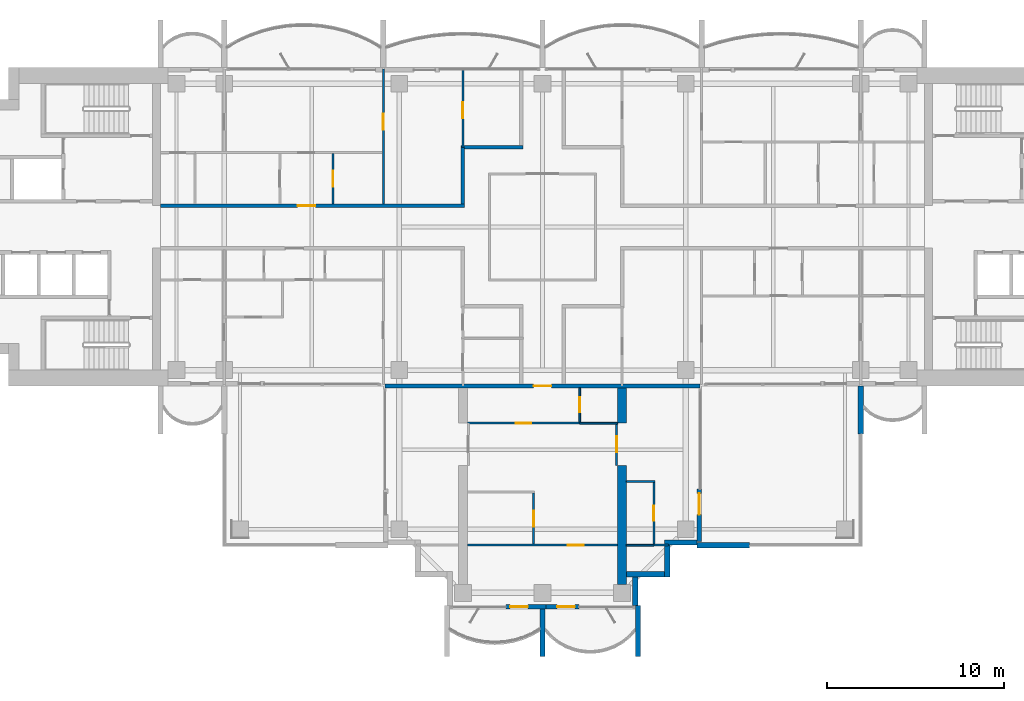
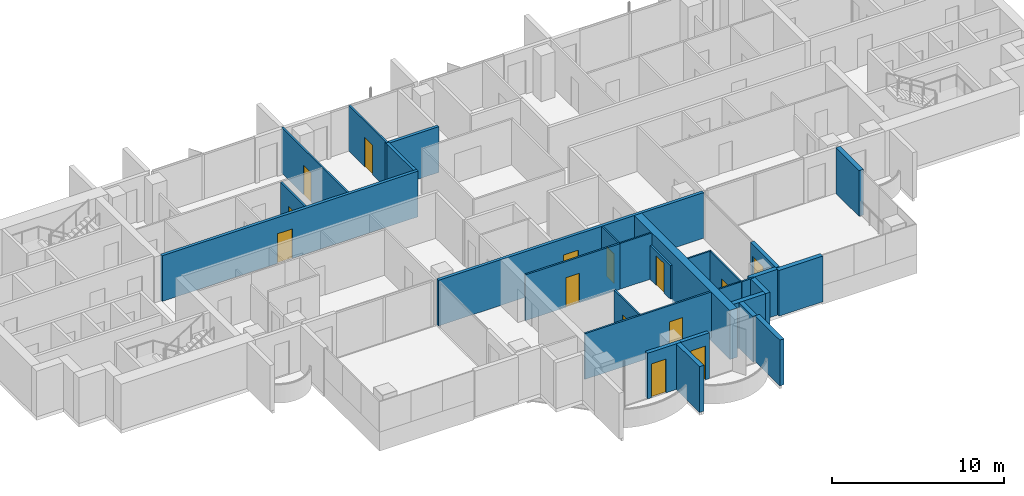
# One storey, part 10 of 17: 29 walls, 14 doors, 14 openings.
"""IFC4 building model written with IfcOpenShell, lengths in metres."""

from ifc_helpers import new_model, si_unit, direction, frame, frame_2d, origin, place, context, subcontext, project, spatial, polyline, rectangle, outline, extrude, material, layer, layer_set, material_profile, profile_set, type_object, element, fill, save


model = new_model("IFC4")

# Units and contexts
model_context = context("Model", 3, precision=1e-05, world=origin(), true_north=direction((0.0, 1.0)))
body_context = subcontext(model_context, "Body", "Model", "MODEL_VIEW")
ifc_project = project(units=[si_unit("LENGTHUNIT", "METRE"), si_unit("AREAUNIT", "SQUARE_METRE"), si_unit("VOLUMEUNIT", "CUBIC_METRE"), si_unit("PLANEANGLEUNIT", "RADIAN"), si_unit("MASSUNIT", "GRAM", prefix="KILO")], contexts=[model_context])

# Site, building, storey
site_placement = place(None, origin())
site = spatial("IfcSite", under=ifc_project, at=site_placement, CompositionType="ELEMENT")
building_placement = place(site_placement, origin())
building = spatial("IfcBuilding", under=site, at=building_placement, Name="Perihelion Cross Residences", CompositionType="ELEMENT")
storey_placement = place(building_placement, frame((0.0, 0.0, 201.60009765625)))
storey = spatial("IfcBuildingStorey", under=building, at=storey_placement, Name="L50", CompositionType="ELEMENT", Elevation=201.60009765625)

# Wall, opening, door
ifc_material_1 = material(Name="Plasterboard partition")
ifc_layer_1 = layer(ifc_material_1, 0.199951171875)
ifc_layer_set_1 = layer_set([ifc_layer_1], Name="Apartment separation wall 200")
wall_type_1 = type_object("IfcWallType", Name="Apartment separation wall 200", PredefinedType="PARTITIONING", material=ifc_layer_set_1)
wall_1_placement = place(storey_placement, frame((-21.60009765625, 1.199951171875, 0.0), z_axis=(0.0, 0.0, 1.0), x_axis=(1.0, 0.0, 0.0)))
wall_1 = element("IfcWall", 1, at=wall_1_placement, inside=storey, type_object=wall_type_1, Name="Partition L50 W013", PredefinedType="PARTITIONING", context=body_context, shape_type="SweptSolid", body=[
    extrude(rectangle(XDim=17.2001953125, YDim=0.199951171875, at=frame_2d((8.60009765625, 0.0))), origin(), (0.0, 0.0, 1.0), 3.25),
])
opening_1_placement = place(wall_1_placement, frame((7.75, 0.0, 0.0)))
opening_1 = element("IfcOpeningElement", 2, at=opening_1_placement, cuts=wall_1, Name="Opening L50.A40", PredefinedType="OPENING", context=body_context, shape_type="SweptSolid", body=[
    extrude(rectangle(XDim=1.0, YDim=2.10009765625, at=frame_2d((0.5, 1.050048828125))), frame((0.0, 0.10986328125, 0.0), z_axis=(0.0, -1.0, 0.0), x_axis=(1.0, 0.0, 0.0)), (0.0, 0.0, 1.0), 0.219970703125),
])
ifc_material_2 = material(Name="Timber door leaf", Category="wood")
door_type_1 = type_object("IfcDoorType", Name="Flat entrance door 1000 x 2100", OperationType="SINGLE_SWING_LEFT", PredefinedType="DOOR", material=ifc_material_2)
door_1_placement = place(opening_1_placement, origin())
door_1 = element("IfcDoor", 3, at=door_1_placement, inside=storey, type_object=door_type_1, Name="Door L50.A40", OperationType="SINGLE_SWING_RIGHT", OverallHeight=2.10009765625, OverallWidth=1.0, PredefinedType="DOOR", context=body_context, shape_type="SweptSolid", body=[
    extrude(rectangle(XDim=1.0, YDim=2.10009765625, at=frame_2d((0.5, 1.050048828125))), frame((0.0, 0.02490234375, 0.0), z_axis=(0.0, -1.0, 0.0), x_axis=(1.0, 0.0, 0.0)), (0.0, 0.0, 1.0), 0.050048828125),
])
fill(opening_1, door_1)

# Walls
wall_2_placement = place(storey_placement, frame((-4.5, 1.300048828125, 0.0), z_axis=(0.0, 0.0, 1.0), x_axis=(0.0, 1.0, 0.0)))
element("IfcWall", 4, at=wall_2_placement, inside=storey, type_object=wall_type_1, Name="Partition L50 W014", PredefinedType="PARTITIONING", context=body_context, shape_type="SweptSolid", body=[
    extrude(rectangle(XDim=3.199951171875, YDim=0.199951171875, at=frame_2d((1.60009765625, 0.0))), origin(), (0.0, 0.0, 1.0), 3.25),
])
wall_3_placement = place(storey_placement, frame((-4.60009765625, 4.5, 0.0), z_axis=(0.0, 0.0, 1.0), x_axis=(1.0, 0.0, 0.0)))
element("IfcWall", 5, at=wall_3_placement, inside=storey, type_object=wall_type_1, Name="Partition L50 W015", PredefinedType="PARTITIONING", context=body_context, shape_type="SweptSolid", body=[
    extrude(rectangle(XDim=3.5, YDim=0.199951171875, at=frame_2d((1.75, 0.0))), origin(), (0.0, 0.0, 1.0), 3.25),
])

# Wall, opening, door
wall_4_placement = place(storey_placement, frame((8.919921875, -9.0, 0.0), z_axis=(0.0, 0.0, 1.0), x_axis=(-1.0, 0.0, 0.0)))
wall_4 = element("IfcWall", 6, at=wall_4_placement, inside=storey, type_object=wall_type_1, Name="Partition L50 W021", PredefinedType="PARTITIONING", context=body_context, shape_type="SweptSolid", body=[
    extrude(rectangle(XDim=17.83984375, YDim=0.199951171875, at=frame_2d((8.919921875, 0.0))), origin(), (0.0, 0.0, 1.0), 3.25),
])
opening_2_placement = place(wall_4_placement, frame((8.419921875, 0.0, 0.0)))
opening_2 = element("IfcOpeningElement", 7, at=opening_2_placement, cuts=wall_4, Name="Opening L50.A32", PredefinedType="OPENING", context=body_context, shape_type="SweptSolid", body=[
    extrude(rectangle(XDim=1.0, YDim=2.10009765625, at=frame_2d((0.5, 1.050048828125))), frame((0.0, 0.10986328125, 0.0), z_axis=(0.0, -1.0, 0.0), x_axis=(1.0, 0.0, 0.0)), (0.0, 0.0, 1.0), 0.219970703125),
])
door_2_placement = place(opening_2_placement, origin())
door_2 = element("IfcDoor", 8, at=door_2_placement, inside=storey, type_object=door_type_1, Name="Door L50.A32", OperationType="SINGLE_SWING_RIGHT", OverallHeight=2.10009765625, OverallWidth=1.0, PredefinedType="DOOR", context=body_context, shape_type="SweptSolid", body=[
    extrude(rectangle(XDim=1.0, YDim=2.10009765625, at=frame_2d((0.5, 1.050048828125))), frame((0.0, 0.02490234375, 0.0), z_axis=(0.0, -1.0, 0.0), x_axis=(1.0, 0.0, 0.0)), (0.0, 0.0, 1.0), 0.050048828125),
])
fill(opening_2, door_2)

ifc_material_3 = material(Name="Concrete C30/37, bronze-clad", Category="concrete")
ifc_layer_2 = layer(ifc_material_3, 0.25)
ifc_layer_set_2 = layer_set([ifc_layer_2], Name="Bronze-clad pier wall 250")
wall_type_2 = type_object("IfcWallType", Name="Bronze-clad pier wall 250", PredefinedType="SOLIDWALL", material=ifc_layer_set_2)
wall_5_placement = place(storey_placement, frame((-2.074951171875, -21.47509765625, 0.0), z_axis=(0.0, 0.0, 1.0), x_axis=(1.0, 0.0, 0.0)))
wall_5 = element("IfcWall", 9, at=wall_5_placement, inside=storey, type_object=wall_type_2, Name="Wall FW1 L50 south tip south bay 1 pier", PredefinedType="SOLIDWALL", context=body_context, shape_type="SweptSolid", body=[
    extrude(rectangle(XDim=2.27490234375, YDim=0.25, at=frame_2d((1.137451171875, 0.0))), origin(), (0.0, 0.0, 1.0), 3.25),
])
opening_3_placement = place(wall_5_placement, frame((0.25, 0.0, 0.0)))
opening_3 = element("IfcOpeningElement", 10, at=opening_3_placement, cuts=wall_5, Name="Opening L50.E10", PredefinedType="OPENING", context=body_context, shape_type="SweptSolid", body=[
    extrude(rectangle(XDim=1.0, YDim=2.39990234375, at=frame_2d((0.5, 1.199951171875))), frame((0.0, 0.135009765625, 0.0), z_axis=(0.0, -1.0, 0.0), x_axis=(1.0, 0.0, 0.0)), (0.0, 0.0, 1.0), 0.27001953125),
])
ifc_material_4 = material(Name="Bronze anodised aluminium, glazed", Category="aluminium")
door_type_2 = type_object("IfcDoorType", Name="Balcony door 1000 x 2400", OperationType="NOTDEFINED", PredefinedType="DOOR", material=ifc_material_4)
door_3_placement = place(opening_3_placement, origin())
door_3 = element("IfcDoor", 11, at=door_3_placement, inside=storey, type_object=door_type_2, Name="Door L50.E10 south tip south bay 1", OperationType="SINGLE_SWING_RIGHT", OverallHeight=2.39990234375, OverallWidth=1.0, PredefinedType="DOOR", context=body_context, shape_type="SweptSolid", body=[
    extrude(rectangle(XDim=1.0, YDim=2.39990234375, at=frame_2d((0.5, 1.199951171875))), frame((0.0, 0.02490234375, 0.0), z_axis=(0.0, -1.0, 0.0), x_axis=(1.0, 0.0, 0.0)), (0.0, 0.0, 1.0), 0.050048828125),
])
fill(opening_3, door_3)

wall_6_placement = place(storey_placement, frame((0.199951171875, -21.47509765625, 0.0), z_axis=(0.0, 0.0, 1.0), x_axis=(1.0, 0.0, 0.0)))
wall_6 = element("IfcWall", 12, at=wall_6_placement, inside=storey, type_object=wall_type_2, Name="Wall FW1 L50 south tip south bay 2 pier", PredefinedType="SOLIDWALL", context=body_context, shape_type="SweptSolid", body=[
    extrude(rectangle(XDim=1.875, YDim=0.25, at=frame_2d((0.9375, 0.0))), origin(), (0.0, 0.0, 1.0), 3.25),
])
opening_4_placement = place(wall_6_placement, frame((0.625, 0.0, 0.0)))
opening_4 = element("IfcOpeningElement", 13, at=opening_4_placement, cuts=wall_6, Name="Opening L50.E11", PredefinedType="OPENING", context=body_context, shape_type="SweptSolid", body=[
    extrude(rectangle(XDim=1.0, YDim=2.39990234375, at=frame_2d((0.5, 1.199951171875))), frame((0.0, 0.135009765625, 0.0), z_axis=(0.0, -1.0, 0.0), x_axis=(1.0, 0.0, 0.0)), (0.0, 0.0, 1.0), 0.27001953125),
])
door_4_placement = place(opening_4_placement, origin())
door_4 = element("IfcDoor", 14, at=door_4_placement, inside=storey, type_object=door_type_2, Name="Door L50.E11 south tip south bay 2", OperationType="SINGLE_SWING_LEFT", OverallHeight=2.39990234375, OverallWidth=1.0, PredefinedType="DOOR", context=body_context, shape_type="SweptSolid", body=[
    extrude(rectangle(XDim=1.0, YDim=2.39990234375, at=frame_2d((0.5, 1.199951171875))), frame((0.0, 0.02490234375, 0.0), z_axis=(0.0, -1.0, 0.0), x_axis=(1.0, 0.0, 0.0)), (0.0, 0.0, 1.0), 0.050048828125),
])
fill(opening_4, door_4)

wall_7_placement = place(storey_placement, frame((8.875, -17.800048828125, 0.0), z_axis=(0.0, 0.0, 1.0), x_axis=(0.0, 1.0, 0.0)))
wall_7 = element("IfcWall", 15, at=wall_7_placement, inside=storey, type_object=wall_type_2, Name="Wall FW1 L50 south side east bay 1 pier", PredefinedType="SOLIDWALL", context=body_context, shape_type="SweptSolid", body=[
    extrude(rectangle(XDim=2.97509765625, YDim=0.25, at=frame_2d((1.487548828125, 0.0))), origin(), (0.0, 0.0, 1.0), 3.25),
])
opening_5_placement = place(wall_7_placement, frame((1.52490234375, 0.0, 0.0)))
opening_5 = element("IfcOpeningElement", 16, at=opening_5_placement, cuts=wall_7, Name="Opening L50.E12", PredefinedType="OPENING", context=body_context, shape_type="SweptSolid", body=[
    extrude(rectangle(XDim=1.199951171875, YDim=2.39990234375, at=frame_2d((0.60009765625, 1.199951171875))), frame((0.0, 0.135009765625, 0.0), z_axis=(0.0, -1.0, 0.0), x_axis=(1.0, 0.0, 0.0)), (0.0, 0.0, 1.0), 0.27001953125),
])
ifc_material_5 = material(Name="Bronze anodised aluminium, glazed", Category="aluminium")
door_type_3 = type_object("IfcDoorType", Name="Balcony door 1200 x 2400", OperationType="NOTDEFINED", PredefinedType="DOOR", material=ifc_material_5)
door_5_placement = place(opening_5_placement, origin())
door_5 = element("IfcDoor", 17, at=door_5_placement, inside=storey, type_object=door_type_3, Name="Door L50.E12 south side east bay 1", OperationType="SINGLE_SWING_RIGHT", OverallHeight=2.39990234375, OverallWidth=1.199951171875, PredefinedType="DOOR", context=body_context, shape_type="SweptSolid", body=[
    extrude(rectangle(XDim=1.199951171875, YDim=2.39990234375, at=frame_2d((0.60009765625, 1.199951171875))), frame((0.0, 0.02490234375, 0.0), z_axis=(0.0, -1.0, 0.0), x_axis=(1.0, 0.0, 0.0)), (0.0, 0.0, 1.0), 0.050048828125),
])
fill(opening_5, door_5)

# Walls
ifc_material_6 = material(Name="Concrete C30/37, bronze-clad", Category="concrete")
ifc_layer_3 = layer(ifc_material_6, 0.300048828125)
ifc_layer_set_3 = layer_set([ifc_layer_3], Name="Bronze-clad serration wall 300")
wall_type_3 = type_object("IfcWallType", Name="Bronze-clad serration wall 300", PredefinedType="SOLIDWALL", material=ifc_layer_set_3)
wall_8_placement = place(storey_placement, frame((5.25, -21.419921875, 0.0), z_axis=(0.0, 0.0, 1.0), x_axis=(0.0, 1.0, 0.0)))
element("IfcWall", 18, at=wall_8_placement, inside=storey, type_object=wall_type_3, Name="Wall SR1 L50 south corner south-east 1", PredefinedType="SOLIDWALL", context=body_context, shape_type="SweptSolid", body=[
    extrude(rectangle(XDim=1.619873046875, YDim=0.300048828125, at=frame_2d((0.81005859375, 0.0))), origin(), (0.0, 0.0, 1.0), 3.25),
])
wall_9_placement = place(storey_placement, frame((4.75, -19.64990234375, 0.0), z_axis=(0.0, 0.0, 1.0), x_axis=(1.0, 0.0, 0.0)))
element("IfcWall", 19, at=wall_9_placement, inside=storey, type_object=wall_type_3, Name="Wall SR1 L50 south corner south-east 2", PredefinedType="SOLIDWALL", context=body_context, shape_type="SweptSolid", body=[
    extrude(rectangle(XDim=2.14990234375, YDim=0.300048828125, at=frame_2d((1.074951171875, 0.0))), origin(), (0.0, 0.0, 1.0), 3.25),
])
wall_10_placement = place(storey_placement, frame((7.050048828125, -19.800048828125, 0.0), z_axis=(0.0, 0.0, 1.0), x_axis=(0.0, 1.0, 0.0)))
element("IfcWall", 20, at=wall_10_placement, inside=storey, type_object=wall_type_3, Name="Wall SR1 L50 south corner south-east 3", PredefinedType="SOLIDWALL", context=body_context, shape_type="SweptSolid", body=[
    extrude(rectangle(XDim=1.800048828125, YDim=0.300048828125, at=frame_2d((0.89990234375, 0.0))), origin(), (0.0, 0.0, 1.0), 3.25),
])
wall_11_placement = place(storey_placement, frame((6.89990234375, -17.85009765625, 0.0), z_axis=(0.0, 0.0, 1.0), x_axis=(1.0, 0.0, 0.0)))
element("IfcWall", 21, at=wall_11_placement, inside=storey, type_object=wall_type_3, Name="Wall SR1 L50 south corner south-east 4", PredefinedType="SOLIDWALL", context=body_context, shape_type="SweptSolid", body=[
    extrude(rectangle(XDim=1.85009765625, YDim=0.300048828125, at=frame_2d((0.925048828125, 0.0))), origin(), (0.0, 0.0, 1.0), 3.25),
])

# Wall, opening, door
ifc_material_7 = material(Name="Plasterboard partition")
ifc_layer_4 = layer(ifc_material_7, 0.1201171875)
ifc_layer_set_4 = layer_set([ifc_layer_4], Name="Infill panel 120")
wall_type_4 = type_object("IfcWallType", Name="Infill panel 120", PredefinedType="PARTITIONING", material=ifc_layer_set_4)
wall_12_placement = place(storey_placement, frame((4.18994140625, -11.10009765625, 0.0), z_axis=(0.0, 0.0, 1.0), x_axis=(0.0, -1.0, 0.0)))
wall_12 = element("IfcWall", 22, at=wall_12_placement, inside=storey, type_object=wall_type_4, Name="Partition L50 WI01", PredefinedType="PARTITIONING", context=body_context, shape_type="SweptSolid", body=[
    extrude(rectangle(XDim=2.39990234375, YDim=0.1201171875, at=frame_2d((1.199951171875, 0.0))), origin(), (0.0, 0.0, 1.0), 2.39990234375),
])
opening_6_placement = place(wall_12_placement, frame((0.75, 0.0, 0.0)))
opening_6 = element("IfcOpeningElement", 23, at=opening_6_placement, cuts=wall_12, Name="Opening L50.A42", PredefinedType="OPENING", context=body_context, shape_type="SweptSolid", body=[
    extrude(rectangle(XDim=0.89990234375, YDim=2.10009765625, at=frame_2d((0.449951171875, 1.050048828125))), frame((0.0, 0.070068359375, 0.0), z_axis=(0.0, -1.0, 0.0), x_axis=(1.0, 0.0, 0.0)), (0.0, 0.0, 1.0), 0.14013671875),
])
ifc_material_8 = material(Name="Timber door leaf", Category="wood")
door_type_4 = type_object("IfcDoorType", Name="Interior room door 900 x 2100", OperationType="SINGLE_SWING_LEFT", PredefinedType="DOOR", material=ifc_material_8)
door_6_placement = place(opening_6_placement, origin())
door_6 = element("IfcDoor", 24, at=door_6_placement, inside=storey, type_object=door_type_4, Name="Door L50.A42", OperationType="SINGLE_SWING_LEFT", OverallHeight=2.10009765625, OverallWidth=0.89990234375, PredefinedType="DOOR", context=body_context, shape_type="SweptSolid", body=[
    extrude(rectangle(XDim=0.89990234375, YDim=2.10009765625, at=frame_2d((0.449951171875, 1.050048828125))), frame((0.0, 0.02490234375, 0.0), z_axis=(0.0, -1.0, 0.0), x_axis=(1.0, 0.0, 0.0)), (0.0, 0.0, 1.0), 0.050048828125),
])
fill(opening_6, door_6)

ifc_material_9 = material(Name="Plasterboard partition")
ifc_layer_5 = layer(ifc_material_9, 0.1201171875)
ifc_layer_set_5 = layer_set([ifc_layer_5], Name="Partition wall 120")
wall_type_5 = type_object("IfcWallType", Name="Partition wall 120", PredefinedType="PARTITIONING", material=ifc_layer_set_5)
wall_13_placement = place(storey_placement, frame((-11.85009765625, 1.300048828125, 0.0), z_axis=(0.0, 0.0, 1.0), x_axis=(0.0, 1.0, 0.0)))
wall_13 = element("IfcWall", 25, at=wall_13_placement, inside=storey, type_object=wall_type_5, Name="Partition L50 W038", PredefinedType="PARTITIONING", context=body_context, shape_type="SweptSolid", body=[
    extrude(rectangle(XDim=2.83984375, YDim=0.1201171875, at=frame_2d((1.419921875, 0.0))), origin(), (0.0, 0.0, 1.0), 3.25),
])
opening_7_placement = place(wall_13_placement, frame((0.969970703125, 0.0, 0.0)))
opening_7 = element("IfcOpeningElement", 26, at=opening_7_placement, cuts=wall_13, Name="Opening L50.A19", PredefinedType="OPENING", context=body_context, shape_type="SweptSolid", body=[
    extrude(rectangle(XDim=0.89990234375, YDim=2.10009765625, at=frame_2d((0.449951171875, 1.050048828125))), frame((0.0, 0.070068359375, 0.0), z_axis=(0.0, -1.0, 0.0), x_axis=(1.0, 0.0, 0.0)), (0.0, 0.0, 1.0), 0.14013671875),
])
door_7_placement = place(opening_7_placement, origin())
door_7 = element("IfcDoor", 27, at=door_7_placement, inside=storey, type_object=door_type_4, Name="Door L50.A19", OperationType="SINGLE_SWING_RIGHT", OverallHeight=2.10009765625, OverallWidth=0.89990234375, PredefinedType="DOOR", context=body_context, shape_type="SweptSolid", body=[
    extrude(rectangle(XDim=0.89990234375, YDim=2.10009765625, at=frame_2d((0.449951171875, 1.050048828125))), frame((0.0, 0.02490234375, 0.0), z_axis=(0.0, -1.0, 0.0), x_axis=(1.0, 0.0, 0.0)), (0.0, 0.0, 1.0), 0.050048828125),
])
fill(opening_7, door_7)

wall_14_placement = place(storey_placement, frame((-9.0, 8.919921875, 0.0), z_axis=(0.0, 0.0, 1.0), x_axis=(0.0, -1.0, 0.0)))
wall_14 = element("IfcWall", 28, at=wall_14_placement, inside=storey, type_object=wall_type_5, Name="Partition L50 W040", PredefinedType="PARTITIONING", context=body_context, shape_type="SweptSolid", body=[
    extrude(rectangle(XDim=7.619873046875, YDim=0.1201171875, at=frame_2d((3.81005859375, 0.0))), origin(), (0.0, 0.0, 1.0), 3.25),
])
opening_8_placement = place(wall_14_placement, frame((2.52001953125, 0.0, 0.0)))
opening_8 = element("IfcOpeningElement", 29, at=opening_8_placement, cuts=wall_14, Name="Opening L50.A22", PredefinedType="OPENING", context=body_context, shape_type="SweptSolid", body=[
    extrude(rectangle(XDim=0.89990234375, YDim=2.10009765625, at=frame_2d((0.449951171875, 1.050048828125))), frame((0.0, 0.070068359375, 0.0), z_axis=(0.0, -1.0, 0.0), x_axis=(1.0, 0.0, 0.0)), (0.0, 0.0, 1.0), 0.14013671875),
])
door_8_placement = place(opening_8_placement, origin())
door_8 = element("IfcDoor", 30, at=door_8_placement, inside=storey, type_object=door_type_4, Name="Door L50.A22", OperationType="SINGLE_SWING_RIGHT", OverallHeight=2.10009765625, OverallWidth=0.89990234375, PredefinedType="DOOR", context=body_context, shape_type="SweptSolid", body=[
    extrude(rectangle(XDim=0.89990234375, YDim=2.10009765625, at=frame_2d((0.449951171875, 1.050048828125))), frame((0.0, 0.02490234375, 0.0), z_axis=(0.0, -1.0, 0.0), x_axis=(1.0, 0.0, 0.0)), (0.0, 0.0, 1.0), 0.050048828125),
])
fill(opening_8, door_8)

wall_15_placement = place(storey_placement, frame((-4.5, 8.919921875, 0.0), z_axis=(0.0, 0.0, 1.0), x_axis=(0.0, -1.0, 0.0)))
wall_15 = element("IfcWall", 31, at=wall_15_placement, inside=storey, type_object=wall_type_5, Name="Partition L50 W045", PredefinedType="PARTITIONING", context=body_context, shape_type="SweptSolid", body=[
    extrude(rectangle(XDim=4.419921875, YDim=0.1201171875, at=frame_2d((2.2099609375, 0.0))), origin(), (0.0, 0.0, 1.0), 3.25),
])
opening_9_placement = place(wall_15_placement, frame((1.8701171875, 0.0, 0.0)))
opening_9 = element("IfcOpeningElement", 32, at=opening_9_placement, cuts=wall_15, Name="Opening L50.A17", PredefinedType="OPENING", context=body_context, shape_type="SweptSolid", body=[
    extrude(rectangle(XDim=0.89990234375, YDim=2.10009765625, at=frame_2d((0.449951171875, 1.050048828125))), frame((0.0, 0.070068359375, 0.0), z_axis=(0.0, -1.0, 0.0), x_axis=(1.0, 0.0, 0.0)), (0.0, 0.0, 1.0), 0.14013671875),
])
door_9_placement = place(opening_9_placement, origin())
door_9 = element("IfcDoor", 33, at=door_9_placement, inside=storey, type_object=door_type_4, Name="Door L50.A17", OperationType="SINGLE_SWING_LEFT", OverallHeight=2.10009765625, OverallWidth=0.89990234375, PredefinedType="DOOR", context=body_context, shape_type="SweptSolid", body=[
    extrude(rectangle(XDim=0.89990234375, YDim=2.10009765625, at=frame_2d((0.449951171875, 1.050048828125))), frame((0.0, 0.02490234375, 0.0), z_axis=(0.0, -1.0, 0.0), x_axis=(1.0, 0.0, 0.0)), (0.0, 0.0, 1.0), 0.050048828125),
])
fill(opening_9, door_9)

wall_16_placement = place(storey_placement, frame((2.10009765625, -11.10009765625, 0.0), z_axis=(0.0, 0.0, 1.0), x_axis=(-1.0, 0.0, 0.0)))
wall_16 = element("IfcWall", 34, at=wall_16_placement, inside=storey, type_object=wall_type_5, Name="Partition L50 W060", PredefinedType="PARTITIONING", context=body_context, shape_type="SweptSolid", body=[
    extrude(rectangle(XDim=6.35009765625, YDim=0.1201171875, at=frame_2d((3.175048828125, 0.0))), origin(), (0.0, 0.0, 1.0), 3.25),
])
opening_10_placement = place(wall_16_placement, frame((2.72509765625, 0.0, 0.0)))
opening_10 = element("IfcOpeningElement", 35, at=opening_10_placement, cuts=wall_16, Name="Opening L50.A34", PredefinedType="OPENING", context=body_context, shape_type="SweptSolid", body=[
    extrude(rectangle(XDim=0.89990234375, YDim=2.10009765625, at=frame_2d((0.449951171875, 1.050048828125))), frame((0.0, 0.070068359375, 0.0), z_axis=(0.0, -1.0, 0.0), x_axis=(1.0, 0.0, 0.0)), (0.0, 0.0, 1.0), 0.14013671875),
])
door_10_placement = place(opening_10_placement, origin())
door_10 = element("IfcDoor", 36, at=door_10_placement, inside=storey, type_object=door_type_4, Name="Door L50.A34", OperationType="SINGLE_SWING_RIGHT", OverallHeight=2.10009765625, OverallWidth=0.89990234375, PredefinedType="DOOR", context=body_context, shape_type="SweptSolid", body=[
    extrude(rectangle(XDim=0.89990234375, YDim=2.10009765625, at=frame_2d((0.449951171875, 1.050048828125))), frame((0.0, 0.02490234375, 0.0), z_axis=(0.0, -1.0, 0.0), x_axis=(1.0, 0.0, 0.0)), (0.0, 0.0, 1.0), 0.050048828125),
])
fill(opening_10, door_10)

wall_17_placement = place(storey_placement, frame((-0.5, -17.93994140625, 0.0), z_axis=(0.0, 0.0, 1.0), x_axis=(0.0, 1.0, 0.0)))
wall_17 = element("IfcWall", 37, at=wall_17_placement, inside=storey, type_object=wall_type_5, Name="Partition L50 W062", PredefinedType="PARTITIONING", context=body_context, shape_type="SweptSolid", body=[
    extrude(rectangle(XDim=2.8798828125, YDim=0.1201171875, at=frame_2d((1.43994140625, 0.0))), origin(), (0.0, 0.0, 1.0), 3.25),
])
opening_11_placement = place(wall_17_placement, frame((0.989990234375, 0.0, 0.0)))
opening_11 = element("IfcOpeningElement", 38, at=opening_11_placement, cuts=wall_17, Name="Opening L50.A35", PredefinedType="OPENING", context=body_context, shape_type="SweptSolid", body=[
    extrude(rectangle(XDim=0.89990234375, YDim=2.10009765625, at=frame_2d((0.449951171875, 1.050048828125))), frame((0.0, 0.070068359375, 0.0), z_axis=(0.0, -1.0, 0.0), x_axis=(1.0, 0.0, 0.0)), (0.0, 0.0, 1.0), 0.14013671875),
])
door_11_placement = place(opening_11_placement, origin())
door_11 = element("IfcDoor", 39, at=door_11_placement, inside=storey, type_object=door_type_4, Name="Door L50.A35", OperationType="SINGLE_SWING_LEFT", OverallHeight=2.10009765625, OverallWidth=0.89990234375, PredefinedType="DOOR", context=body_context, shape_type="SweptSolid", body=[
    extrude(rectangle(XDim=0.89990234375, YDim=2.10009765625, at=frame_2d((0.449951171875, 1.050048828125))), frame((0.0, 0.02490234375, 0.0), z_axis=(0.0, -1.0, 0.0), x_axis=(1.0, 0.0, 0.0)), (0.0, 0.0, 1.0), 0.050048828125),
])
fill(opening_11, door_11)

wall_18_placement = place(storey_placement, frame((4.25, -18.0, 0.0), z_axis=(0.0, 0.0, 1.0), x_axis=(-1.0, 0.0, 0.0)))
wall_18 = element("IfcWall", 40, at=wall_18_placement, inside=storey, type_object=wall_type_5, Name="Partition L50 W064", PredefinedType="PARTITIONING", context=body_context, shape_type="SweptSolid", body=[
    extrude(rectangle(XDim=8.5, YDim=0.1201171875, at=frame_2d((4.25, 0.0))), origin(), (0.0, 0.0, 1.0), 3.25),
])
opening_12_placement = place(wall_18_placement, frame((1.925048828125, 0.0, 0.0)))
opening_12 = element("IfcOpeningElement", 41, at=opening_12_placement, cuts=wall_18, Name="Opening L50.A36", PredefinedType="OPENING", context=body_context, shape_type="SweptSolid", body=[
    extrude(rectangle(XDim=0.89990234375, YDim=2.10009765625, at=frame_2d((0.449951171875, 1.050048828125))), frame((0.0, 0.070068359375, 0.0), z_axis=(0.0, -1.0, 0.0), x_axis=(1.0, 0.0, 0.0)), (0.0, 0.0, 1.0), 0.14013671875),
])
door_12_placement = place(opening_12_placement, origin())
door_12 = element("IfcDoor", 42, at=door_12_placement, inside=storey, type_object=door_type_4, Name="Door L50.A36", OperationType="SINGLE_SWING_LEFT", OverallHeight=2.10009765625, OverallWidth=0.89990234375, PredefinedType="DOOR", context=body_context, shape_type="SweptSolid", body=[
    extrude(rectangle(XDim=0.89990234375, YDim=2.10009765625, at=frame_2d((0.449951171875, 1.050048828125))), frame((0.0, 0.02490234375, 0.0), z_axis=(0.0, -1.0, 0.0), x_axis=(1.0, 0.0, 0.0)), (0.0, 0.0, 1.0), 0.050048828125),
])
fill(opening_12, door_12)

# Walls
wall_19_placement = place(storey_placement, frame((7.1201171875, -18.0, 0.0), z_axis=(0.0, 0.0, 1.0), x_axis=(-1.0, 0.0, 0.0)))
element("IfcWall", 43, at=wall_19_placement, inside=storey, type_object=wall_type_5, Name="Partition L50 W067", PredefinedType="PARTITIONING", context=body_context, shape_type="SweptSolid", body=[
    extrude(rectangle(XDim=0.820068359375, YDim=0.1201171875, at=frame_2d((0.41015625, 0.0))), origin(), (0.0, 0.0, 1.0), 3.25),
])
ifc_material_10 = material(Name="Precast concrete C50/60", Category="concrete")
ifc_layer_6 = layer(ifc_material_10, 0.300048828125)
ifc_layer_set_6 = layer_set([ifc_layer_6], Name="Precast concrete C50/60 blade wall 300")
wall_type_6 = type_object("IfcWallType", Name="Precast concrete C50/60 blade wall 300", PredefinedType="SOLIDWALL", material=ifc_layer_set_6)
wall_20_placement = place(storey_placement, frame((0.0, -21.60009765625, 0.0), z_axis=(0.0, 0.0, 1.0), x_axis=(0.0, -1.0, 0.0)))
element("IfcWall", 44, at=wall_20_placement, inside=storey, type_object=wall_type_6, Name="Wall BL1 L50 no. 8", PredefinedType="SOLIDWALL", context=body_context, shape_type="SweptSolid", body=[
    extrude(rectangle(XDim=2.699951171875, YDim=0.300048828125, at=frame_2d((1.35009765625, 0.0))), origin(), (0.0, 0.0, 1.0), 3.25),
])
wall_21_placement = place(storey_placement, frame((5.39990234375, -21.419921875, 0.0), z_axis=(0.0, 0.0, 1.0), x_axis=(0.0, -1.0, 0.0)))
element("IfcWall", 45, at=wall_21_placement, inside=storey, type_object=wall_type_6, Name="Wall BL1 L50 no. 14", PredefinedType="SOLIDWALL", context=body_context, shape_type="SweptSolid", body=[
    extrude(rectangle(XDim=2.880126953125, YDim=0.300048828125, at=frame_2d((1.43994140625, 0.0))), origin(), (0.0, 0.0, 1.0), 3.25),
])
wall_22_placement = place(storey_placement, frame((8.75, -18.0, 0.0), z_axis=(0.0, 0.0, 1.0), x_axis=(1.0, 0.0, 0.0)))
element("IfcWall", 46, at=wall_22_placement, inside=storey, type_object=wall_type_6, Name="Wall BL1 L50 no. 15", PredefinedType="SOLIDWALL", context=body_context, shape_type="SweptSolid", body=[
    extrude(rectangle(XDim=2.949951171875, YDim=0.300048828125, at=frame_2d((1.47509765625, 0.0))), origin(), (0.0, 0.0, 1.0), 3.25),
])
wall_23_placement = place(storey_placement, frame((18.0, -9.0, 0.0), z_axis=(0.0, 0.0, 1.0), x_axis=(0.0, -1.0, 0.0)))
element("IfcWall", 47, at=wall_23_placement, inside=storey, type_object=wall_type_6, Name="Wall BL1 L50 no. 10", PredefinedType="SOLIDWALL", context=body_context, shape_type="SweptSolid", body=[
    extrude(rectangle(XDim=2.699951171875, YDim=0.300048828125, at=frame_2d((1.35009765625, 0.0))), origin(), (0.0, 0.0, 1.0), 3.25),
])
ifc_material_11 = material(Name="Concrete C60/75", Category="concrete")
ifc_material_profile = material_profile(ifc_material_11, outline(polyline([(0.0, 0.0), (6.72509765625, 0.0), (6.72509765625, 2.64990234375), (9.125, 2.64990234375), (9.125, 0.0), (11.22509765625, 0.0), (11.22509765625, 3.5), (0.0, 3.5), (0.0, 0.0)])), Name="Tip spine wall")
ifc_profile_set = profile_set([ifc_material_profile], Name="Concrete C60/75")
wall_type_7 = type_object("IfcWallType", Name="Tip spine wall 500 with 1 door openings 11225 long 3500 high concrete C60/75", PredefinedType="SHEAR", material=ifc_profile_set)
wall_24_placement = place(storey_placement, frame((4.25, -20.22509765625, -0.25), z_axis=(1.0, 0.0, 0.0), x_axis=(0.0, 1.0, 0.0)))
element("IfcWall", 48, at=wall_24_placement, inside=storey, type_object=wall_type_7, Name="Shear wall SW41 L50 south east", PredefinedType="SHEAR", context=body_context, shape_type="SweptSolid", body=[
    extrude(outline(polyline([(0.0, 0.0), (6.72509765625, 0.0), (6.72509765625, 2.64990234375), (9.125, 2.64990234375), (9.125, 0.0), (11.22509765625, 0.0), (11.22509765625, 3.5), (0.0, 3.5), (0.0, 0.0)])), origin(), (0.0, 0.0, 1.0), 0.5),
])

# Wall, opening, door
ifc_material_12 = material(Name="Plasterboard partition")
ifc_layer_7 = layer(ifc_material_12, 0.10009765625)
ifc_layer_set_7 = layer_set([ifc_layer_7], Name="Wet room wall 100")
wall_type_8 = type_object("IfcWallType", Name="Wet room wall 100", PredefinedType="PARTITIONING", material=ifc_layer_set_7)
wall_25_placement = place(storey_placement, frame((2.10009765625, -9.10009765625, 0.0), z_axis=(0.0, 0.0, 1.0), x_axis=(0.0, -1.0, 0.0)))
wall_25 = element("IfcWall", 49, at=wall_25_placement, inside=storey, type_object=wall_type_8, Name="Partition L50 W059", PredefinedType="PARTITIONING", context=body_context, shape_type="SweptSolid", body=[
    extrude(rectangle(XDim=1.93994140625, YDim=0.10009765625, at=frame_2d((0.969970703125, 0.0))), origin(), (0.0, 0.0, 1.0), 3.25),
])
opening_13_placement = place(wall_25_placement, frame((0.544921875, 0.0, 0.0)))
opening_13 = element("IfcOpeningElement", 50, at=opening_13_placement, cuts=wall_25, Name="Opening L50.A33", PredefinedType="OPENING", context=body_context, shape_type="SweptSolid", body=[
    extrude(rectangle(XDim=0.85009765625, YDim=2.10009765625, at=frame_2d((0.425048828125, 1.050048828125))), frame((0.0, 0.06005859375, 0.0), z_axis=(0.0, -1.0, 0.0), x_axis=(1.0, 0.0, 0.0)), (0.0, 0.0, 1.0), 0.1201171875),
])
ifc_material_13 = material(Name="Timber door leaf", Category="wood")
door_type_5 = type_object("IfcDoorType", Name="Interior bathroom door 850 x 2100", OperationType="SINGLE_SWING_LEFT", PredefinedType="DOOR", material=ifc_material_13)
door_13_placement = place(opening_13_placement, origin())
door_13 = element("IfcDoor", 51, at=door_13_placement, inside=storey, type_object=door_type_5, Name="Door L50.A33", OperationType="SINGLE_SWING_LEFT", OverallHeight=2.10009765625, OverallWidth=0.85009765625, PredefinedType="DOOR", context=body_context, shape_type="SweptSolid", body=[
    extrude(rectangle(XDim=0.85009765625, YDim=2.10009765625, at=frame_2d((0.425048828125, 1.050048828125))), frame((0.0, 0.02490234375, 0.0), z_axis=(0.0, -1.0, 0.0), x_axis=(1.0, 0.0, 0.0)), (0.0, 0.0, 1.0), 0.050048828125),
])
fill(opening_13, door_13)

# Wall
wall_26_placement = place(storey_placement, frame((4.25, -11.10009765625, 0.0), z_axis=(0.0, 0.0, 1.0), x_axis=(-1.0, 0.0, 0.0)))
element("IfcWall", 52, at=wall_26_placement, inside=storey, type_object=wall_type_8, Name="Partition L50 W061", PredefinedType="PARTITIONING", context=body_context, shape_type="SweptSolid", body=[
    extrude(rectangle(XDim=2.14990234375, YDim=0.10009765625, at=frame_2d((1.074951171875, 0.0))), origin(), (0.0, 0.0, 1.0), 3.25),
])

# Wall, opening, door
wall_27_placement = place(storey_placement, frame((6.300048828125, -17.93994140625, 0.0), z_axis=(0.0, 0.0, 1.0), x_axis=(0.0, 1.0, 0.0)))
wall_27 = element("IfcWall", 53, at=wall_27_placement, inside=storey, type_object=wall_type_8, Name="Partition L50 W065", PredefinedType="PARTITIONING", context=body_context, shape_type="SweptSolid", body=[
    extrude(rectangle(XDim=3.489990234375, YDim=0.10009765625, at=frame_2d((1.7451171875, 0.0))), origin(), (0.0, 0.0, 1.0), 3.25),
])
opening_14_placement = place(wall_27_placement, frame((1.320068359375, 0.0, 0.0)))
opening_14 = element("IfcOpeningElement", 54, at=opening_14_placement, cuts=wall_27, Name="Opening L50.A37", PredefinedType="OPENING", context=body_context, shape_type="SweptSolid", body=[
    extrude(rectangle(XDim=0.85009765625, YDim=2.10009765625, at=frame_2d((0.425048828125, 1.050048828125))), frame((0.0, 0.06005859375, 0.0), z_axis=(0.0, -1.0, 0.0), x_axis=(1.0, 0.0, 0.0)), (0.0, 0.0, 1.0), 0.1201171875),
])
door_14_placement = place(opening_14_placement, origin())
door_14 = element("IfcDoor", 55, at=door_14_placement, inside=storey, type_object=door_type_5, Name="Door L50.A37", OperationType="SINGLE_SWING_RIGHT", OverallHeight=2.10009765625, OverallWidth=0.85009765625, PredefinedType="DOOR", context=body_context, shape_type="SweptSolid", body=[
    extrude(rectangle(XDim=0.85009765625, YDim=2.10009765625, at=frame_2d((0.425048828125, 1.050048828125))), frame((0.0, 0.02490234375, 0.0), z_axis=(0.0, -1.0, 0.0), x_axis=(1.0, 0.0, 0.0)), (0.0, 0.0, 1.0), 0.050048828125),
])
fill(opening_14, door_14)

# Walls
wall_28_placement = place(storey_placement, frame((6.35009765625, -14.39990234375, 0.0), z_axis=(0.0, 0.0, 1.0), x_axis=(-1.0, 0.0, 0.0)))
element("IfcWall", 56, at=wall_28_placement, inside=storey, type_object=wall_type_8, Name="Partition L50 W066", PredefinedType="PARTITIONING", context=body_context, shape_type="SweptSolid", body=[
    extrude(rectangle(XDim=1.60009765625, YDim=0.10009765625, at=frame_2d((0.800048828125, 0.0))), origin(), (0.0, 0.0, 1.0), 3.25),
])
wall_29_placement = place(storey_placement, frame((6.300048828125, -18.0, 0.0), z_axis=(0.0, 0.0, 1.0), x_axis=(-1.0, 0.0, 0.0)))
element("IfcWall", 57, at=wall_29_placement, inside=storey, type_object=wall_type_8, Name="Partition L50 W068", PredefinedType="PARTITIONING", context=body_context, shape_type="SweptSolid", body=[
    extrude(rectangle(XDim=1.550048828125, YDim=0.10009765625, at=frame_2d((0.77490234375, 0.0))), origin(), (0.0, 0.0, 1.0), 3.25),
])

save(model, "model.ifc")
